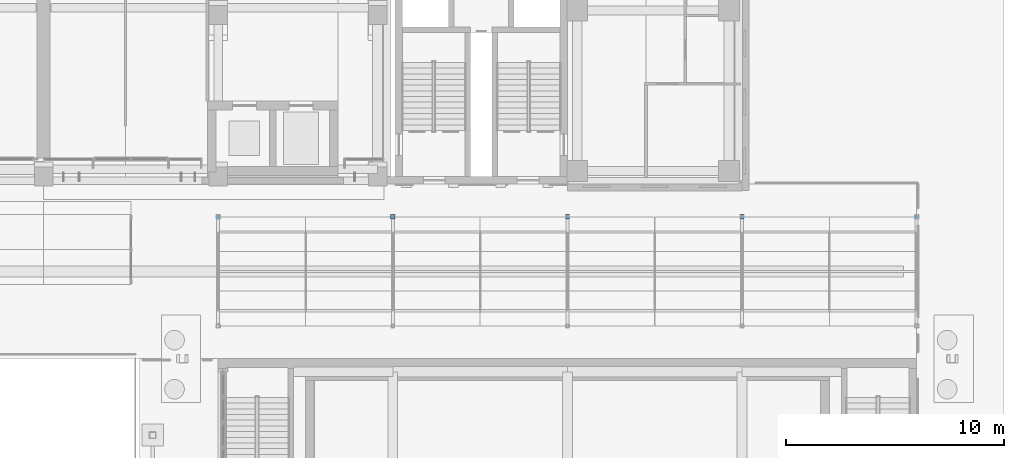
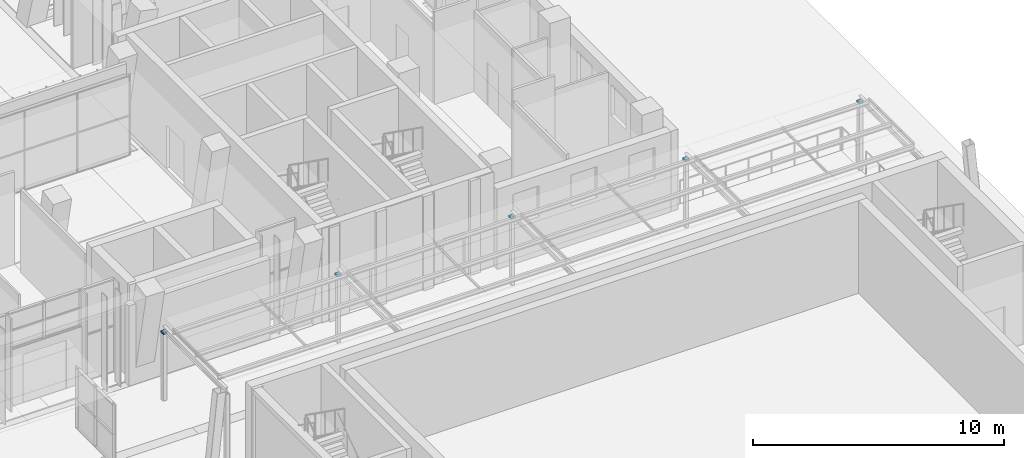
# One storey, part 118 of 144: 5 discrete accessories.
"""IFC4 building model written with IfcOpenShell, lengths in metres."""

from ifc_helpers import new_model, si_unit, direction, frame, origin, origin_2d, place, context, subcontext, project, spatial, rectangle, extrude, element, save


model = new_model("IFC4")

# Units and contexts
model_context = context("Model", 3, precision=1e-05, world=origin(), true_north=direction((0.0, 1.0)))
body_context = subcontext(model_context, "Body", "Model", "MODEL_VIEW")
ifc_project = project(units=[si_unit("LENGTHUNIT", "METRE"), si_unit("AREAUNIT", "SQUARE_METRE"), si_unit("VOLUMEUNIT", "CUBIC_METRE"), si_unit("PLANEANGLEUNIT", "RADIAN"), si_unit("MASSUNIT", "GRAM", prefix="KILO")], contexts=[model_context])

# Site, building, storey
site_placement = place(None, origin())
site = spatial("IfcSite", under=ifc_project, at=site_placement, CompositionType="ELEMENT")
building_placement = place(site_placement, origin())
building = spatial("IfcBuilding", under=site, at=building_placement, Name="Lantern Court Media Centre", CompositionType="ELEMENT")
storey_placement = place(building_placement, origin())
storey = spatial("IfcBuildingStorey", under=building, at=storey_placement, Name="L00", CompositionType="ELEMENT", Elevation=0.0)

# Discrete accessories
for number, where, z_axis, x_axis, name in (
    (1, (72.0, 46.5, 3.22998046875), (0.0, 0.0, 1.0), (1.0, 0.0, 0.0), "Cloister sliding shoe 2-1"),
    (2, (80.0, 46.5, 3.22998046875), (0.0, 0.0, 1.0), (1.0, 0.0, 0.0), "Cloister sliding shoe 2-2"),
    (3, (88.0, 46.5, 3.22998046875), (0.0, 0.0, 1.0), (1.0, 0.0, 0.0), "Cloister sliding shoe 2-3"),
    (4, (96.0, 46.5, 3.22998046875), (0.0, 0.0, 1.0), (1.0, 0.0, 0.0), "Cloister sliding shoe 2-4"),
    (5, (104.0, 46.5, 3.22998046875), (0.0, 0.0, 1.0), (1.0, 0.0, 0.0), "Cloister sliding shoe 2-5"),
):
    element("IfcDiscreteAccessory", number, at=place(storey_placement, frame(where, z_axis=z_axis, x_axis=x_axis)), inside=storey, Name=name, PredefinedType="SHOE", context=body_context, shape_type="SweptSolid", body=[
        extrude(rectangle(XDim=0.199951171875, YDim=0.199951171875, at=origin_2d()), origin(), (0.0, 0.0, 1.0), 0.10009765625),
    ])

save(model, "model.ifc")
